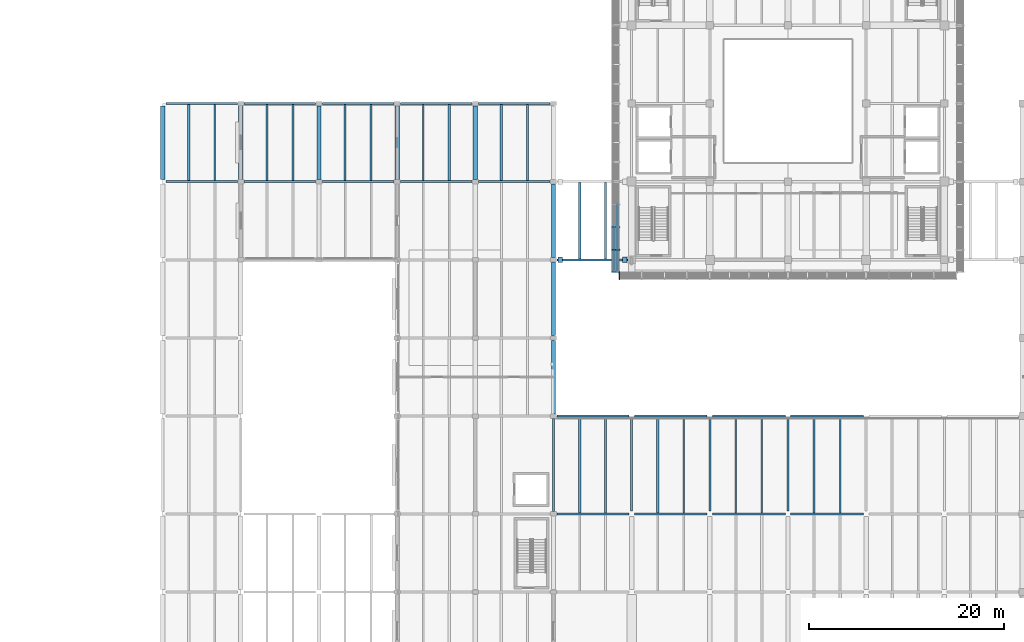
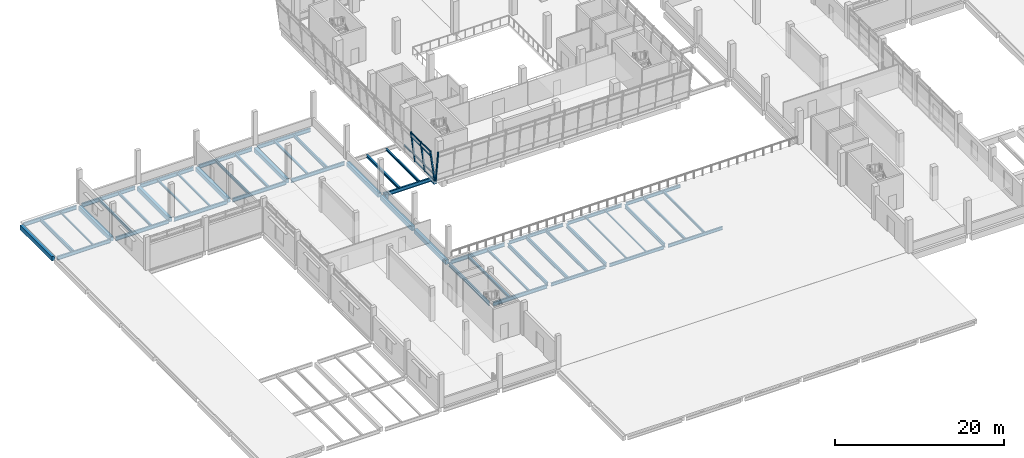
# One storey, part 9 of 52: 53 beams, 13 members, 2 elements without a shape of their own.
"""IFC4 building model written with IfcOpenShell, lengths in metres."""

from ifc_helpers import new_model, si_unit, direction, frame, origin, origin_2d, place, context, subcontext, project, spatial, rectangle, i_section, extrude, material, material_profile, profile_set, type_object, element, aggregate, save


model = new_model("IFC4")

# Units and contexts
model_context = context("Model", 3, precision=1e-05, world=origin(), true_north=direction((0.0, 1.0)))
body_context = subcontext(model_context, "Body", "Model", "MODEL_VIEW")
ifc_project = project(units=[si_unit("LENGTHUNIT", "METRE"), si_unit("AREAUNIT", "SQUARE_METRE"), si_unit("VOLUMEUNIT", "CUBIC_METRE"), si_unit("PLANEANGLEUNIT", "RADIAN"), si_unit("MASSUNIT", "GRAM", prefix="KILO")], contexts=[model_context])

# Site, building, storey
site_placement = place(None, origin())
site = spatial("IfcSite", under=ifc_project, at=site_placement, CompositionType="ELEMENT")
building_placement = place(site_placement, origin())
building = spatial("IfcBuilding", under=site, at=building_placement, Name="Pecanmere Concourse Central Library", CompositionType="ELEMENT")
storey_placement = place(building_placement, frame((0.0, 0.0, 10.5)))
storey = spatial("IfcBuildingStorey", under=building, at=storey_placement, Name="L03", CompositionType="ELEMENT", Elevation=10.5)

# Curtain wall, member
ifc_material_1 = material(Name="Anodized bronze aluminium alloy 6063-T6", Category="aluminium")
curtain_wall_type = type_object("IfcCurtainWallType", Name="CW_LEAN_BANDED", PredefinedType="USERDEFINED", material=ifc_material_1)
curtain_wall_1_placement = place(storey_placement, origin())
curtain_wall_1 = element("IfcCurtainWall", 1, at=curtain_wall_1_placement, inside=storey, type_object=curtain_wall_type, Name="Unitised Curtain Wall CW-01 L03-026", ObjectType="UNITISED CURTAIN WALL", PredefinedType="USERDEFINED")
ifc_material_2 = material(Name="Anodized bronze aluminium alloy 6063-T6", Category="aluminium")
ifc_material_profile_1 = material_profile(ifc_material_2, rectangle(XDim=0.074951171875, YDim=0.199951171875, at=origin_2d()), Name="AL 75x200")
ifc_profile_set_1 = profile_set([ifc_material_profile_1], Name="Anodized bronze aluminium alloy 6063-T6")
member_type_1 = type_object("IfcMemberType", Name="CWM_200x75", PredefinedType="MULLION", material=ifc_profile_set_1)
member_1_placement = place(storey_placement, frame((70.756591796875, 88.678955078125, 0.0), z_axis=(0.0, -0.132234484848, 0.991218462811), x_axis=(1.0, 0.0, 0.0)))
member_1 = element("IfcMember", 2, at=member_1_placement, type_object=member_type_1, Name="CW-01 Mullion 1", PredefinedType="MULLION", context=body_context, shape_type="SweptSolid", body=[
    extrude(rectangle(XDim=0.074951171875, YDim=0.199951171875, at=origin_2d()), origin(), (0.0, 0.0, 1.0), 4.519775390625),
])
aggregate(curtain_wall_1, [member_1])

# Curtain wall, members
curtain_wall_2_placement = place(storey_placement, origin())
curtain_wall_2 = element("IfcCurtainWall", 3, at=curtain_wall_2_placement, inside=storey, type_object=curtain_wall_type, Name="Unitised Curtain Wall CW-01 L03-037", ObjectType="UNITISED CURTAIN WALL", PredefinedType="USERDEFINED")
member_2_placement = place(storey_placement, frame((70.678955078125, 93.35693359375, 0.0), z_axis=(-0.132234484848, 0.0, 0.991218462811), x_axis=(0.0, -1.0, 0.0)))
member_2 = element("IfcMember", 4, at=member_2_placement, type_object=member_type_1, Name="CW-01 Mullion 3", PredefinedType="MULLION", context=body_context, shape_type="SweptSolid", body=[
    extrude(rectangle(XDim=0.074951171875, YDim=0.199951171875, at=origin_2d()), origin(), (0.0, 0.0, 1.0), 4.519775390625),
])
member_3_placement = place(storey_placement, frame((70.678955078125, 91.0380859375, 0.0), z_axis=(-0.132234484848, 0.0, 0.991218462811), x_axis=(0.0, -1.0, 0.0)))
member_3 = element("IfcMember", 5, at=member_3_placement, type_object=member_type_1, Name="CW-01 Mullion 4", PredefinedType="MULLION", context=body_context, shape_type="SweptSolid", body=[
    extrude(rectangle(XDim=0.074951171875, YDim=0.199951171875, at=origin_2d()), origin(), (0.0, 0.0, 1.0), 4.519775390625),
])
member_4_placement = place(storey_placement, frame((70.678955078125, 88.756591796875, 0.0), z_axis=(-0.132234484848, 0.0, 0.991218462811), x_axis=(0.0, -1.0, 0.0)))
member_4 = element("IfcMember", 6, at=member_4_placement, type_object=member_type_1, Name="CW-01 Mullion 5", PredefinedType="MULLION", context=body_context, shape_type="SweptSolid", body=[
    extrude(rectangle(XDim=0.074951171875, YDim=0.199951171875, at=origin_2d()), origin(), (0.0, 0.0, 1.0), 4.519775390625),
])
ifc_material_3 = material(Name="Anodized bronze aluminium alloy 6063-T6", Category="aluminium")
ifc_material_profile_2 = material_profile(ifc_material_3, rectangle(XDim=0.06494140625, YDim=0.179931640625, at=origin_2d()), Name="AL 65x180")
ifc_profile_set_2 = profile_set([ifc_material_profile_2], Name="Anodized bronze aluminium alloy 6063-T6")
member_type_2 = type_object("IfcMemberType", Name="CWT_180x65", PredefinedType="USERDEFINED", material=ifc_profile_set_2)
member_5_placement = place(storey_placement, frame((70.538818359375, 95.638427734375, 1.050048828125), z_axis=(0.0, -1.0, 0.0), x_axis=(1.0, 0.0, 0.0)))
member_5 = element("IfcMember", 7, at=member_5_placement, type_object=member_type_2, Name="CW-01 Transom 2.2", ObjectType="TRANSOM", PredefinedType="USERDEFINED", context=body_context, shape_type="SweptSolid", body=[
    extrude(rectangle(XDim=0.06494140625, YDim=0.179931640625, at=origin_2d()), origin(), (0.0, 0.0, 1.0), 2.243896484375),
])
member_6_placement = place(storey_placement, frame((70.6669921875, 93.319580078125, 0.090087890625), z_axis=(0.0, -1.0, 0.0), x_axis=(1.0, 0.0, 0.0)))
member_6 = element("IfcMember", 8, at=member_6_placement, type_object=member_type_2, Name="CW-01 Transom 3.1", ObjectType="TRANSOM", PredefinedType="USERDEFINED", context=body_context, shape_type="SweptSolid", body=[
    extrude(rectangle(XDim=0.06494140625, YDim=0.179931640625, at=origin_2d()), origin(), (0.0, 0.0, 1.0), 2.244140625),
])
member_7_placement = place(storey_placement, frame((70.538818359375, 93.319580078125, 1.050048828125), z_axis=(0.0, -1.0, 0.0), x_axis=(1.0, 0.0, 0.0)))
member_7 = element("IfcMember", 9, at=member_7_placement, type_object=member_type_2, Name="CW-01 Transom 3.2", ObjectType="TRANSOM", PredefinedType="USERDEFINED", context=body_context, shape_type="SweptSolid", body=[
    extrude(rectangle(XDim=0.06494140625, YDim=0.179931640625, at=origin_2d()), origin(), (0.0, 0.0, 1.0), 2.244140625),
])
member_8_placement = place(storey_placement, frame((70.181396484375, 93.319580078125, 3.72998046875), z_axis=(0.0, -1.0, 0.0), x_axis=(1.0, 0.0, 0.0)))
member_8 = element("IfcMember", 10, at=member_8_placement, type_object=member_type_2, Name="CW-01 Transom 3.3", ObjectType="TRANSOM", PredefinedType="USERDEFINED", context=body_context, shape_type="SweptSolid", body=[
    extrude(rectangle(XDim=0.06494140625, YDim=0.179931640625, at=origin_2d()), origin(), (0.0, 0.0, 1.0), 2.244140625),
])
member_9_placement = place(storey_placement, frame((70.09326171875, 93.319580078125, 4.389892578125), z_axis=(0.0, -1.0, 0.0), x_axis=(1.0, 0.0, 0.0)))
member_9 = element("IfcMember", 11, at=member_9_placement, type_object=member_type_2, Name="CW-01 Transom 3.4", ObjectType="TRANSOM", PredefinedType="USERDEFINED", context=body_context, shape_type="SweptSolid", body=[
    extrude(rectangle(XDim=0.06494140625, YDim=0.179931640625, at=origin_2d()), origin(), (0.0, 0.0, 1.0), 2.244140625),
])
member_10_placement = place(storey_placement, frame((70.6669921875, 91.00048828125, 0.090087890625), z_axis=(0.0, -1.0, 0.0), x_axis=(1.0, 0.0, 0.0)))
member_10 = element("IfcMember", 12, at=member_10_placement, type_object=member_type_2, Name="CW-01 Transom 4.1", ObjectType="TRANSOM", PredefinedType="USERDEFINED", context=body_context, shape_type="SweptSolid", body=[
    extrude(rectangle(XDim=0.06494140625, YDim=0.179931640625, at=origin_2d()), origin(), (0.0, 0.0, 1.0), 2.20654296875),
])
member_11_placement = place(storey_placement, frame((70.538818359375, 91.00048828125, 1.050048828125), z_axis=(0.0, -1.0, 0.0), x_axis=(1.0, 0.0, 0.0)))
member_11 = element("IfcMember", 13, at=member_11_placement, type_object=member_type_2, Name="CW-01 Transom 4.2", ObjectType="TRANSOM", PredefinedType="USERDEFINED", context=body_context, shape_type="SweptSolid", body=[
    extrude(rectangle(XDim=0.06494140625, YDim=0.179931640625, at=origin_2d()), origin(), (0.0, 0.0, 1.0), 2.20654296875),
])
member_12_placement = place(storey_placement, frame((70.181396484375, 91.00048828125, 3.72998046875), z_axis=(0.0, -1.0, 0.0), x_axis=(1.0, 0.0, 0.0)))
member_12 = element("IfcMember", 14, at=member_12_placement, type_object=member_type_2, Name="CW-01 Transom 4.3", ObjectType="TRANSOM", PredefinedType="USERDEFINED", context=body_context, shape_type="SweptSolid", body=[
    extrude(rectangle(XDim=0.06494140625, YDim=0.179931640625, at=origin_2d()), origin(), (0.0, 0.0, 1.0), 2.20654296875),
])
member_13_placement = place(storey_placement, frame((70.09326171875, 91.00048828125, 4.389892578125), z_axis=(0.0, -1.0, 0.0), x_axis=(1.0, 0.0, 0.0)))
member_13 = element("IfcMember", 15, at=member_13_placement, type_object=member_type_2, Name="CW-01 Transom 4.4", ObjectType="TRANSOM", PredefinedType="USERDEFINED", context=body_context, shape_type="SweptSolid", body=[
    extrude(rectangle(XDim=0.06494140625, YDim=0.179931640625, at=origin_2d()), origin(), (0.0, 0.0, 1.0), 2.20654296875),
])
aggregate(curtain_wall_2, [member_2, member_3, member_4, member_5, member_6, member_7, member_8, member_9, member_10, member_11, member_12, member_13])

# Beams
ifc_material_4 = material(Name="Concrete C40/50", Category="concrete")
ifc_material_profile_3 = material_profile(ifc_material_4, rectangle(XDim=0.43994140625, YDim=0.6201171875, at=origin_2d()), Name="RC 440x620")
ifc_profile_set_3 = profile_set([ifc_material_profile_3], Name="Concrete C40/50")
beam_type_1 = type_object("IfcBeamType", Name="GRD_440x620", PredefinedType="USERDEFINED", material=ifc_profile_set_3)
for number, where, z_axis, x_axis, name in (
    (16, (24.0, 98.239990234375, -0.64990234375), (0.0, 1.0, 0.0), (-1.0, 0.0, 0.0), "Primary Girder Y L03-1678"),
    (17, (32.0, 98.239990234375, -0.64990234375), (0.0, 1.0, 0.0), (-1.0, 0.0, 0.0), "Primary Girder Y L03-1688"),
    (18, (40.0, 98.239990234375, -0.64990234375), (0.0, 1.0, 0.0), (-1.0, 0.0, 0.0), "Primary Girder Y L03-1696"),
    (19, (48.0, 98.239990234375, -0.64990234375), (0.0, 1.0, 0.0), (-1.0, 0.0, 0.0), "Primary Girder Y L03-1707"),
    (20, (56.0, 98.239990234375, -0.64990234375), (0.0, 1.0, 0.0), (-1.0, 0.0, 0.0), "Primary Girder Y L03-1714"),
    (21, (64.0, 74.239990234375, -0.64990234375), (0.0, 1.0, 0.0), (-1.0, 0.0, 0.0), "Primary Girder Y L03-1720"),
    (22, (64.0, 82.239990234375, -0.64990234375), (0.0, 1.0, 0.0), (-1.0, 0.0, 0.0), "Primary Girder Y L03-1721"),
    (23, (64.0, 90.239990234375, -0.64990234375), (0.0, 1.0, 0.0), (-1.0, 0.0, 0.0), "Primary Girder Y L03-1722"),
):
    element("IfcBeam", number, at=place(storey_placement, frame(where, z_axis=z_axis, x_axis=x_axis)), inside=storey, type_object=beam_type_1, Name=name, ObjectType="GIRDER", PredefinedType="USERDEFINED", context=body_context, shape_type="SweptSolid", body=[
        extrude(rectangle(XDim=0.43994140625, YDim=0.6201171875, at=origin_2d()), origin(), (0.0, 0.0, 1.0), 7.52001953125),
    ])
ifc_material_5 = material(Name="Concrete C40/50", Category="concrete")
ifc_material_profile_4 = material_profile(ifc_material_5, rectangle(XDim=0.580078125, YDim=0.860107421875, at=origin_2d()), Name="RC 580x860")
ifc_profile_set_4 = profile_set([ifc_material_profile_4], Name="Concrete C40/50")
beam_type_2 = type_object("IfcBeamType", Name="GRD_580x860", PredefinedType="USERDEFINED", material=ifc_profile_set_4)
for number, where, z_axis, x_axis, name in (
    (24, (64.4599609375, 90.0, -0.860107421875), (1.0, 0.0, 0.0), (0.0, 1.0, 0.0), "Bridge Bearing Corbel Seat 01"),
    (25, (71.5400390625, 90.0, -0.860107421875), (-1.0, 0.0, 0.0), (0.0, -1.0, 0.0), "Bridge Bearing Corbel Seat 03"),
):
    element("IfcBeam", number, at=place(storey_placement, frame(where, z_axis=z_axis, x_axis=x_axis)), inside=storey, type_object=beam_type_2, Name=name, ObjectType="GIRDER", PredefinedType="USERDEFINED", context=body_context, shape_type="SweptSolid", body=[
        extrude(rectangle(XDim=0.580078125, YDim=0.860107421875, at=origin_2d()), origin(), (0.0, 0.0, 1.0), 0.4599609375),
    ])
ifc_material_6 = material(Name="Structural steel ASTM A992 Grade 50", Category="steel")
ifc_material_profile_5 = material_profile(ifc_material_6, i_section(OverallWidth=0.152099609375, OverallDepth=0.152099609375, WebThickness=0.005859375, FlangeThickness=0.006591796875, at=origin_2d()), Name="W150x22.5")
ifc_profile_set_5 = profile_set([ifc_material_profile_5], Name="Structural steel ASTM A992 Grade 50")
beam_type_3 = type_object("IfcBeamType", Name="SBM_W150x22", PredefinedType="LINTEL", material=ifc_profile_set_5)
beam_1_placement = place(storey_placement, frame((85.333251953125, 64.096923828125, -0.416015625), z_axis=(0.0, 1.0, 0.0), x_axis=(-1.0, 0.0, 0.0)))
element("IfcBeam", 26, at=beam_1_placement, inside=storey, type_object=beam_type_3, Name="Secondary Floor Joist L03-1959", PredefinedType="LINTEL", context=body_context, shape_type="SweptSolid", body=[
    extrude(i_section(OverallWidth=0.152099609375, OverallDepth=0.152099609375, WebThickness=0.005859375, FlangeThickness=0.006591796875, at=origin_2d()), origin(), (0.0, 0.0, 1.0), 9.80615234375),
])
ifc_material_7 = material(Name="Structural steel ASTM A992 Grade 50", Category="steel")
ifc_material_profile_6 = material_profile(ifc_material_7, i_section(OverallWidth=0.1650390625, OverallDepth=0.200927734375, WebThickness=0.006103515625, FlangeThickness=0.01025390625, at=origin_2d()), Name="W200x35.9")
ifc_profile_set_6 = profile_set([ifc_material_profile_6], Name="Structural steel ASTM A992 Grade 50")
beam_type_4 = type_object("IfcBeamType", Name="SBM_W200x36", PredefinedType="LINTEL", material=ifc_profile_set_6)
beam_2_placement = place(storey_placement, frame((29.333251953125, 98.10546875, -0.4404296875), z_axis=(0.0, 1.0, 0.0), x_axis=(-1.0, 0.0, 0.0)))
element("IfcBeam", 27, at=beam_2_placement, inside=storey, type_object=beam_type_4, Name="Secondary Floor Joist L03-1878", PredefinedType="LINTEL", context=body_context, shape_type="SweptSolid", body=[
    extrude(i_section(OverallWidth=0.1650390625, OverallDepth=0.200927734375, WebThickness=0.006103515625, FlangeThickness=0.01025390625, at=origin_2d()), origin(), (0.0, 0.0, 1.0), 7.7890625),
])
beam_3_placement = place(storey_placement, frame((82.666748046875, 64.096923828125, -0.4404296875), z_axis=(0.0, 1.0, 0.0), x_axis=(-1.0, 0.0, 0.0)))
element("IfcBeam", 28, at=beam_3_placement, inside=storey, type_object=beam_type_4, Name="Secondary Floor Joist L03-1958", PredefinedType="LINTEL", context=body_context, shape_type="SweptSolid", body=[
    extrude(i_section(OverallWidth=0.1650390625, OverallDepth=0.200927734375, WebThickness=0.006103515625, FlangeThickness=0.01025390625, at=origin_2d()), origin(), (0.0, 0.0, 1.0), 9.80615234375),
])
ifc_material_8 = material(Name="Structural steel ASTM A992 Grade 50", Category="steel")
ifc_material_profile_7 = material_profile(ifc_material_8, i_section(OverallWidth=0.2041015625, OverallDepth=0.2060546875, WebThickness=0.0078125, FlangeThickness=0.0126953125, at=origin_2d()), Name="W200x52")
ifc_profile_set_7 = profile_set([ifc_material_profile_7], Name="Structural steel ASTM A992 Grade 50")
beam_type_5 = type_object("IfcBeamType", Name="SBM_W200x52", PredefinedType="JOIST", material=ifc_profile_set_7)
beam_4_placement = place(storey_placement, frame((45.333251953125, 98.10546875, -0.443115234375), z_axis=(0.0, 1.0, 0.0), x_axis=(-1.0, 0.0, 0.0)))
element("IfcBeam", 29, at=beam_4_placement, inside=storey, type_object=beam_type_5, Name="Secondary Floor Joist L03-1905", PredefinedType="JOIST", context=body_context, shape_type="SweptSolid", body=[
    extrude(i_section(OverallWidth=0.2041015625, OverallDepth=0.2060546875, WebThickness=0.0078125, FlangeThickness=0.0126953125, at=origin_2d()), origin(), (0.0, 0.0, 1.0), 7.7890625),
])
ifc_material_9 = material(Name="Structural steel ASTM A992 Grade 50", Category="steel")
ifc_material_profile_8 = material_profile(ifc_material_9, i_section(OverallWidth=0.201904296875, OverallDepth=0.2470703125, WebThickness=0.00732421875, FlangeThickness=0.010986328125, at=origin_2d()), Name="W250x49.1")
ifc_profile_set_8 = profile_set([ifc_material_profile_8], Name="Structural steel ASTM A992 Grade 50")
beam_type_6 = type_object("IfcBeamType", Name="SBM_W250x49", PredefinedType="JOIST", material=ifc_profile_set_8)
beam_5_placement = place(storey_placement, frame((42.666748046875, 98.10546875, -0.46337890625), z_axis=(0.0, 1.0, 0.0), x_axis=(-1.0, 0.0, 0.0)))
element("IfcBeam", 30, at=beam_5_placement, inside=storey, type_object=beam_type_6, Name="Secondary Floor Joist L03-1904", PredefinedType="JOIST", context=body_context, shape_type="SweptSolid", body=[
    extrude(i_section(OverallWidth=0.201904296875, OverallDepth=0.2470703125, WebThickness=0.00732421875, FlangeThickness=0.010986328125, at=origin_2d()), origin(), (0.0, 0.0, 1.0), 7.7890625),
])
ifc_material_10 = material(Name="Structural steel ASTM A992 Grade 50", Category="steel")
ifc_material_profile_9 = material_profile(ifc_material_10, i_section(OverallWidth=0.25390625, OverallDepth=0.2529296875, WebThickness=0.008544921875, FlangeThickness=0.01416015625, at=origin_2d()), Name="W250x73")
ifc_profile_set_9 = profile_set([ifc_material_profile_9], Name="Structural steel ASTM A992 Grade 50")
beam_type_7 = type_object("IfcBeamType", Name="SBM_W250x73", PredefinedType="BEAM", material=ifc_profile_set_9)
beam_6_placement = place(storey_placement, frame((58.666748046875, 98.10546875, -0.466552734375), z_axis=(0.0, 1.0, 0.0), x_axis=(-1.0, 0.0, 0.0)))
element("IfcBeam", 31, at=beam_6_placement, inside=storey, type_object=beam_type_7, Name="Secondary Floor Joist L03-1930", PredefinedType="BEAM", context=body_context, shape_type="SweptSolid", body=[
    extrude(i_section(OverallWidth=0.25390625, OverallDepth=0.2529296875, WebThickness=0.008544921875, FlangeThickness=0.01416015625, at=origin_2d()), origin(), (0.0, 0.0, 1.0), 7.7890625),
])
ifc_material_11 = material(Name="Structural steel ASTM A992 Grade 50", Category="steel")
ifc_material_profile_10 = material_profile(ifc_material_11, i_section(OverallWidth=0.1669921875, OverallDepth=0.31689453125, WebThickness=0.007568359375, FlangeThickness=0.01318359375, at=origin_2d()), Name="W310x52")
ifc_profile_set_10 = profile_set([ifc_material_profile_10], Name="Structural steel ASTM A992 Grade 50")
beam_type_8 = type_object("IfcBeamType", Name="SBM_W310x52", PredefinedType="JOIST", material=ifc_profile_set_10)
beam_7_placement = place(storey_placement, frame((93.333251953125, 64.096923828125, -0.49853515625), z_axis=(0.0, 1.0, 0.0), x_axis=(-1.0, 0.0, 0.0)))
element("IfcBeam", 32, at=beam_7_placement, inside=storey, type_object=beam_type_8, Name="Secondary Floor Joist L03-1973", PredefinedType="JOIST", context=body_context, shape_type="SweptSolid", body=[
    extrude(i_section(OverallWidth=0.1669921875, OverallDepth=0.31689453125, WebThickness=0.007568359375, FlangeThickness=0.01318359375, at=origin_2d()), origin(), (0.0, 0.0, 1.0), 9.80615234375),
])
ifc_material_12 = material(Name="Structural steel ASTM A992 Grade 50", Category="steel")
ifc_material_profile_11 = material_profile(ifc_material_12, i_section(OverallWidth=0.205078125, OverallDepth=0.31005859375, WebThickness=0.009521484375, FlangeThickness=0.016357421875, at=origin_2d()), Name="W310x74")
ifc_profile_set_11 = profile_set([ifc_material_profile_11], Name="Structural steel ASTM A992 Grade 50")
beam_type_9 = type_object("IfcBeamType", Name="SBM_W310x74", PredefinedType="BEAM", material=ifc_profile_set_11)
beam_8_placement = place(storey_placement, frame((69.333251953125, 64.10546875, -0.4951171875), z_axis=(0.0, 1.0, 0.0), x_axis=(-1.0, 0.0, 0.0)))
element("IfcBeam", 33, at=beam_8_placement, inside=storey, type_object=beam_type_9, Name="Secondary Floor Joist L03-1936", PredefinedType="BEAM", context=body_context, shape_type="SweptSolid", body=[
    extrude(i_section(OverallWidth=0.205078125, OverallDepth=0.31005859375, WebThickness=0.009521484375, FlangeThickness=0.016357421875, at=origin_2d()), origin(), (0.0, 0.0, 1.0), 9.7890625),
])
beam_9_placement = place(storey_placement, frame((69.333251953125, 90.10546875, -0.4951171875), z_axis=(0.0, 1.0, 0.0), x_axis=(-1.0, 0.0, 0.0)))
element("IfcBeam", 34, at=beam_9_placement, inside=storey, type_object=beam_type_9, Name="Secondary Floor Joist L03-1938", PredefinedType="BEAM", context=body_context, shape_type="SweptSolid", body=[
    extrude(i_section(OverallWidth=0.205078125, OverallDepth=0.31005859375, WebThickness=0.009521484375, FlangeThickness=0.016357421875, at=origin_2d()), origin(), (0.0, 0.0, 1.0), 7.7890625),
])
ifc_material_13 = material(Name="Structural steel ASTM A992 Grade 50", Category="steel")
ifc_material_profile_12 = material_profile(ifc_material_13, i_section(OverallWidth=0.202880859375, OverallDepth=0.346923828125, WebThickness=0.0078125, FlangeThickness=0.013427734375, at=origin_2d()), Name="W360x64")
ifc_profile_set_12 = profile_set([ifc_material_profile_12], Name="Structural steel ASTM A992 Grade 50")
beam_type_10 = type_object("IfcBeamType", Name="SBM_W360x64", PredefinedType="JOIST", material=ifc_profile_set_12)
beam_10_placement = place(storey_placement, frame((37.333251953125, 98.10546875, -0.513427734375), z_axis=(0.0, 1.0, 0.0), x_axis=(-1.0, 0.0, 0.0)))
element("IfcBeam", 35, at=beam_10_placement, inside=storey, type_object=beam_type_10, Name="Secondary Floor Joist L03-1890", PredefinedType="JOIST", context=body_context, shape_type="SweptSolid", body=[
    extrude(i_section(OverallWidth=0.202880859375, OverallDepth=0.346923828125, WebThickness=0.0078125, FlangeThickness=0.013427734375, at=origin_2d()), origin(), (0.0, 0.0, 1.0), 7.7890625),
])
beam_11_placement = place(storey_placement, frame((90.666748046875, 64.096923828125, -0.513427734375), z_axis=(0.0, 1.0, 0.0), x_axis=(-1.0, 0.0, 0.0)))
element("IfcBeam", 36, at=beam_11_placement, inside=storey, type_object=beam_type_10, Name="Secondary Floor Joist L03-1972", PredefinedType="JOIST", context=body_context, shape_type="SweptSolid", body=[
    extrude(i_section(OverallWidth=0.202880859375, OverallDepth=0.346923828125, WebThickness=0.0078125, FlangeThickness=0.013427734375, at=origin_2d()), origin(), (0.0, 0.0, 1.0), 9.80615234375),
])
ifc_material_14 = material(Name="Structural steel ASTM A992 Grade 50", Category="steel")
ifc_material_profile_13 = material_profile(ifc_material_14, i_section(OverallWidth=0.25390625, OverallDepth=0.35302734375, WebThickness=0.009521484375, FlangeThickness=0.016357421875, at=origin_2d()), Name="W360x91")
ifc_profile_set_13 = profile_set([ifc_material_profile_13], Name="Structural steel ASTM A992 Grade 50")
beam_type_11 = type_object("IfcBeamType", Name="SBM_W360x91", PredefinedType="BEAM", material=ifc_profile_set_13)
beam_12_placement = place(storey_placement, frame((53.333251953125, 98.10546875, -0.5166015625), z_axis=(0.0, 1.0, 0.0), x_axis=(-1.0, 0.0, 0.0)))
element("IfcBeam", 37, at=beam_12_placement, inside=storey, type_object=beam_type_11, Name="Secondary Floor Joist L03-1919", PredefinedType="BEAM", context=body_context, shape_type="SweptSolid", body=[
    extrude(i_section(OverallWidth=0.25390625, OverallDepth=0.35302734375, WebThickness=0.009521484375, FlangeThickness=0.016357421875, at=origin_2d()), origin(), (0.0, 0.0, 1.0), 7.7890625),
])
beam_13_placement = place(storey_placement, frame((66.666748046875, 64.10546875, -0.5166015625), z_axis=(0.0, 1.0, 0.0), x_axis=(-1.0, 0.0, 0.0)))
element("IfcBeam", 38, at=beam_13_placement, inside=storey, type_object=beam_type_11, Name="Secondary Floor Joist L03-1935", PredefinedType="BEAM", context=body_context, shape_type="SweptSolid", body=[
    extrude(i_section(OverallWidth=0.25390625, OverallDepth=0.35302734375, WebThickness=0.009521484375, FlangeThickness=0.016357421875, at=origin_2d()), origin(), (0.0, 0.0, 1.0), 9.7890625),
])
beam_14_placement = place(storey_placement, frame((66.666748046875, 90.10546875, -0.5166015625), z_axis=(0.0, 1.0, 0.0), x_axis=(-1.0, 0.0, 0.0)))
element("IfcBeam", 39, at=beam_14_placement, inside=storey, type_object=beam_type_11, Name="Secondary Floor Joist L03-1937", PredefinedType="BEAM", context=body_context, shape_type="SweptSolid", body=[
    extrude(i_section(OverallWidth=0.25390625, OverallDepth=0.35302734375, WebThickness=0.009521484375, FlangeThickness=0.016357421875, at=origin_2d()), origin(), (0.0, 0.0, 1.0), 7.7890625),
])
ifc_material_15 = material(Name="Structural steel ASTM A992 Grade 50", Category="steel")
ifc_material_profile_14 = material_profile(ifc_material_15, i_section(OverallWidth=0.177978515625, OverallDepth=0.406982421875, WebThickness=0.0078125, FlangeThickness=0.0126953125, at=origin_2d()), Name="W410x60")
ifc_profile_set_14 = profile_set([ifc_material_profile_14], Name="Structural steel ASTM A992 Grade 50")
beam_type_12 = type_object("IfcBeamType", Name="SBM_W410x60", PredefinedType="JOIST", material=ifc_profile_set_14)
beam_15_placement = place(storey_placement, frame((34.666748046875, 98.10546875, -0.54345703125), z_axis=(0.0, 1.0, 0.0), x_axis=(-1.0, 0.0, 0.0)))
element("IfcBeam", 40, at=beam_15_placement, inside=storey, type_object=beam_type_12, Name="Secondary Floor Joist L03-1889", PredefinedType="JOIST", context=body_context, shape_type="SweptSolid", body=[
    extrude(i_section(OverallWidth=0.177978515625, OverallDepth=0.406982421875, WebThickness=0.0078125, FlangeThickness=0.0126953125, at=origin_2d()), origin(), (0.0, 0.0, 1.0), 7.7890625),
])
ifc_material_16 = material(Name="Structural steel ASTM A992 Grade 50", Category="steel")
ifc_material_profile_15 = material_profile(ifc_material_16, i_section(OverallWidth=0.180908203125, OverallDepth=0.4169921875, WebThickness=0.010986328125, FlangeThickness=0.018310546875, at=origin_2d()), Name="W410x85")
ifc_profile_set_15 = profile_set([ifc_material_profile_15], Name="Structural steel ASTM A992 Grade 50")
beam_type_13 = type_object("IfcBeamType", Name="SBM_W410x85", PredefinedType="BEAM", material=ifc_profile_set_15)
beam_16_placement = place(storey_placement, frame((50.666748046875, 98.10546875, -0.548583984375), z_axis=(0.0, 1.0, 0.0), x_axis=(-1.0, 0.0, 0.0)))
element("IfcBeam", 41, at=beam_16_placement, inside=storey, type_object=beam_type_13, Name="Secondary Floor Joist L03-1918", PredefinedType="BEAM", context=body_context, shape_type="SweptSolid", body=[
    extrude(i_section(OverallWidth=0.180908203125, OverallDepth=0.4169921875, WebThickness=0.010986328125, FlangeThickness=0.018310546875, at=origin_2d()), origin(), (0.0, 0.0, 1.0), 7.7890625),
])
ifc_material_17 = material(Name="Structural steel ASTM A992 Grade 50", Category="steel")
ifc_material_profile_16 = material_profile(ifc_material_17, i_section(OverallWidth=0.194091796875, OverallDepth=0.468994140625, WebThickness=0.0126953125, FlangeThickness=0.0205078125, at=origin_2d()), Name="W460x106")
ifc_profile_set_16 = profile_set([ifc_material_profile_16], Name="Structural steel ASTM A992 Grade 50")
beam_type_14 = type_object("IfcBeamType", Name="SBM_W460x106", PredefinedType="USERDEFINED", material=ifc_profile_set_16)
for number, where, z_axis, x_axis, name in (
    (42, (72.280029296875, 64.0, -0.574462890625), (1.0, 0.0, 0.0), (0.0, 1.0, 0.0), "Primary Girder X L03-1578"),
    (43, (80.280029296875, 64.0, -0.574462890625), (1.0, 0.0, 0.0), (0.0, 1.0, 0.0), "Primary Girder X L03-1579"),
    (44, (88.280029296875, 64.0, -0.574462890625), (1.0, 0.0, 0.0), (0.0, 1.0, 0.0), "Primary Girder X L03-1580"),
    (45, (72.280029296875, 74.0, -0.574462890625), (1.0, 0.0, 0.0), (0.0, 1.0, 0.0), "Primary Girder X L03-1592"),
    (46, (80.280029296875, 74.0, -0.574462890625), (1.0, 0.0, 0.0), (0.0, 1.0, 0.0), "Primary Girder X L03-1593"),
    (47, (88.280029296875, 74.0, -0.574462890625), (1.0, 0.0, 0.0), (0.0, 1.0, 0.0), "Primary Girder X L03-1594"),
):
    element("IfcBeam", number, at=place(storey_placement, frame(where, z_axis=z_axis, x_axis=x_axis)), inside=storey, type_object=beam_type_14, Name=name, ObjectType="GIRDER", PredefinedType="USERDEFINED", context=body_context, shape_type="SweptSolid", body=[
        extrude(i_section(OverallWidth=0.194091796875, OverallDepth=0.468994140625, WebThickness=0.0126953125, FlangeThickness=0.0205078125, at=origin_2d()), origin(), (0.0, 0.0, 1.0), 7.43994140625),
    ])
beam_17_placement = place(storey_placement, frame((77.333251953125, 64.096923828125, -0.574462890625), z_axis=(0.0, 1.0, 0.0), x_axis=(-1.0, 0.0, 0.0)))
element("IfcBeam", 48, at=beam_17_placement, inside=storey, type_object=beam_type_14, Name="Secondary Floor Joist L03-1944", ObjectType="GIRDER", PredefinedType="USERDEFINED", context=body_context, shape_type="SweptSolid", body=[
    extrude(i_section(OverallWidth=0.194091796875, OverallDepth=0.468994140625, WebThickness=0.0126953125, FlangeThickness=0.0205078125, at=origin_2d()), origin(), (0.0, 0.0, 1.0), 9.80615234375),
])
ifc_material_18 = material(Name="Structural steel ASTM A992 Grade 50", Category="steel")
ifc_material_profile_17 = material_profile(ifc_material_18, i_section(OverallWidth=0.2109375, OverallDepth=0.5390625, WebThickness=0.01171875, FlangeThickness=0.018798828125, at=origin_2d()), Name="W530x109")
ifc_profile_set_17 = profile_set([ifc_material_profile_17], Name="Structural steel ASTM A992 Grade 50")
beam_type_15 = type_object("IfcBeamType", Name="SBM_W530x109", PredefinedType="USERDEFINED", material=ifc_profile_set_17)
for number, where, z_axis, x_axis, name in (
    (49, (64.340087890625, 64.0, -0.609619140625), (1.0, 0.0, 0.0), (0.0, 1.0, 0.0), "Primary Girder X L03-1577"),
    (50, (64.340087890625, 74.0, -0.609619140625), (1.0, 0.0, 0.0), (0.0, 1.0, 0.0), "Primary Girder X L03-1591"),
):
    element("IfcBeam", number, at=place(storey_placement, frame(where, z_axis=z_axis, x_axis=x_axis)), inside=storey, type_object=beam_type_15, Name=name, ObjectType="GIRDER", PredefinedType="USERDEFINED", context=body_context, shape_type="SweptSolid", body=[
        extrude(i_section(OverallWidth=0.2109375, OverallDepth=0.5390625, WebThickness=0.01171875, FlangeThickness=0.018798828125, at=origin_2d()), origin(), (0.0, 0.0, 1.0), 7.3798828125),
    ])
beam_18_placement = place(storey_placement, frame((64.340087890625, 90.0, -0.609619140625), z_axis=(1.0, 0.0, 0.0), x_axis=(0.0, 1.0, 0.0)))
element("IfcBeam", 51, at=beam_18_placement, inside=storey, type_object=beam_type_15, Name="Primary Girder X L03-1611", ObjectType="GIRDER", PredefinedType="USERDEFINED", context=body_context, shape_type="SweptSolid", body=[
    extrude(i_section(OverallWidth=0.2109375, OverallDepth=0.5390625, WebThickness=0.01171875, FlangeThickness=0.018798828125, at=origin_2d()), origin(), (0.0, 0.0, 1.0), 7.260009765625),
])
for number, where, z_axis, x_axis, name in (
    (52, (24.340087890625, 98.0, -0.609619140625), (1.0, 0.0, 0.0), (0.0, 1.0, 0.0), "Primary Girder X L03-1622"),
    (53, (32.340087890625, 98.0, -0.609619140625), (1.0, 0.0, 0.0), (0.0, 1.0, 0.0), "Primary Girder X L03-1623"),
    (54, (40.340087890625, 98.0, -0.609619140625), (1.0, 0.0, 0.0), (0.0, 1.0, 0.0), "Primary Girder X L03-1624"),
    (55, (48.340087890625, 98.0, -0.609619140625), (1.0, 0.0, 0.0), (0.0, 1.0, 0.0), "Primary Girder X L03-1625"),
    (56, (56.340087890625, 98.0, -0.609619140625), (1.0, 0.0, 0.0), (0.0, 1.0, 0.0), "Primary Girder X L03-1626"),
    (57, (24.340087890625, 106.0, -0.609619140625), (1.0, 0.0, 0.0), (0.0, 1.0, 0.0), "Primary Girder X L03-1638"),
    (58, (32.340087890625, 106.0, -0.609619140625), (1.0, 0.0, 0.0), (0.0, 1.0, 0.0), "Primary Girder X L03-1639"),
    (59, (40.340087890625, 106.0, -0.609619140625), (1.0, 0.0, 0.0), (0.0, 1.0, 0.0), "Primary Girder X L03-1640"),
    (60, (48.340087890625, 106.0, -0.609619140625), (1.0, 0.0, 0.0), (0.0, 1.0, 0.0), "Primary Girder X L03-1641"),
    (61, (56.340087890625, 106.0, -0.609619140625), (1.0, 0.0, 0.0), (0.0, 1.0, 0.0), "Primary Girder X L03-1642"),
):
    element("IfcBeam", number, at=place(storey_placement, frame(where, z_axis=z_axis, x_axis=x_axis)), inside=storey, type_object=beam_type_15, Name=name, ObjectType="GIRDER", PredefinedType="USERDEFINED", context=body_context, shape_type="SweptSolid", body=[
        extrude(i_section(OverallWidth=0.2109375, OverallDepth=0.5390625, WebThickness=0.01171875, FlangeThickness=0.018798828125, at=origin_2d()), origin(), (0.0, 0.0, 1.0), 7.31982421875),
    ])
beam_19_placement = place(storey_placement, frame((64.0, 64.239990234375, -0.609619140625), z_axis=(0.0, 1.0, 0.0), x_axis=(-1.0, 0.0, 0.0)))
element("IfcBeam", 62, at=beam_19_placement, inside=storey, type_object=beam_type_15, Name="Primary Girder Y L03-1719", ObjectType="GIRDER", PredefinedType="USERDEFINED", context=body_context, shape_type="SweptSolid", body=[
    extrude(i_section(OverallWidth=0.2109375, OverallDepth=0.5390625, WebThickness=0.01171875, FlangeThickness=0.018798828125, at=origin_2d()), origin(), (0.0, 0.0, 1.0), 9.52001953125),
])
for number, where, z_axis, x_axis, name in (
    (63, (72.0, 64.280029296875, -0.609619140625), (0.0, 1.0, 0.0), (-1.0, 0.0, 0.0), "Primary Girder Y L03-1727"),
    (64, (80.0, 64.280029296875, -0.609619140625), (0.0, 1.0, 0.0), (-1.0, 0.0, 0.0), "Primary Girder Y L03-1736"),
    (65, (88.0, 64.280029296875, -0.609619140625), (0.0, 1.0, 0.0), (-1.0, 0.0, 0.0), "Primary Girder Y L03-1745"),
):
    element("IfcBeam", number, at=place(storey_placement, frame(where, z_axis=z_axis, x_axis=x_axis)), inside=storey, type_object=beam_type_15, Name=name, ObjectType="GIRDER", PredefinedType="USERDEFINED", context=body_context, shape_type="SweptSolid", body=[
        extrude(i_section(OverallWidth=0.2109375, OverallDepth=0.5390625, WebThickness=0.01171875, FlangeThickness=0.018798828125, at=origin_2d()), origin(), (0.0, 0.0, 1.0), 9.43994140625),
    ])
beam_20_placement = place(storey_placement, frame((26.666748046875, 98.10546875, -0.609619140625), z_axis=(0.0, 1.0, 0.0), x_axis=(-1.0, 0.0, 0.0)))
element("IfcBeam", 66, at=beam_20_placement, inside=storey, type_object=beam_type_15, Name="Secondary Floor Joist L03-1877", ObjectType="GIRDER", PredefinedType="USERDEFINED", context=body_context, shape_type="SweptSolid", body=[
    extrude(i_section(OverallWidth=0.2109375, OverallDepth=0.5390625, WebThickness=0.01171875, FlangeThickness=0.018798828125, at=origin_2d()), origin(), (0.0, 0.0, 1.0), 7.7890625),
])
ifc_material_19 = material(Name="Structural steel ASTM A992 Grade 50", Category="steel")
ifc_material_profile_18 = material_profile(ifc_material_19, i_section(OverallWidth=0.208984375, OverallDepth=0.532958984375, WebThickness=0.01025390625, FlangeThickness=0.015625, at=origin_2d()), Name="W530x92")
ifc_profile_set_18 = profile_set([ifc_material_profile_18], Name="Structural steel ASTM A992 Grade 50")
beam_type_16 = type_object("IfcBeamType", Name="SBM_W530x92", PredefinedType="BEAM", material=ifc_profile_set_18)
beam_21_placement = place(storey_placement, frame((61.333251953125, 98.10546875, -0.6064453125), z_axis=(0.0, 1.0, 0.0), x_axis=(-1.0, 0.0, 0.0)))
element("IfcBeam", 67, at=beam_21_placement, inside=storey, type_object=beam_type_16, Name="Secondary Floor Joist L03-1931", PredefinedType="BEAM", context=body_context, shape_type="SweptSolid", body=[
    extrude(i_section(OverallWidth=0.208984375, OverallDepth=0.532958984375, WebThickness=0.01025390625, FlangeThickness=0.015625, at=origin_2d()), origin(), (0.0, 0.0, 1.0), 7.7890625),
])
beam_22_placement = place(storey_placement, frame((74.666748046875, 64.096923828125, -0.6064453125), z_axis=(0.0, 1.0, 0.0), x_axis=(-1.0, 0.0, 0.0)))
element("IfcBeam", 68, at=beam_22_placement, inside=storey, type_object=beam_type_16, Name="Secondary Floor Joist L03-1943", PredefinedType="BEAM", context=body_context, shape_type="SweptSolid", body=[
    extrude(i_section(OverallWidth=0.208984375, OverallDepth=0.532958984375, WebThickness=0.01025390625, FlangeThickness=0.015625, at=origin_2d()), origin(), (0.0, 0.0, 1.0), 9.80615234375),
])

save(model, "model.ifc")
